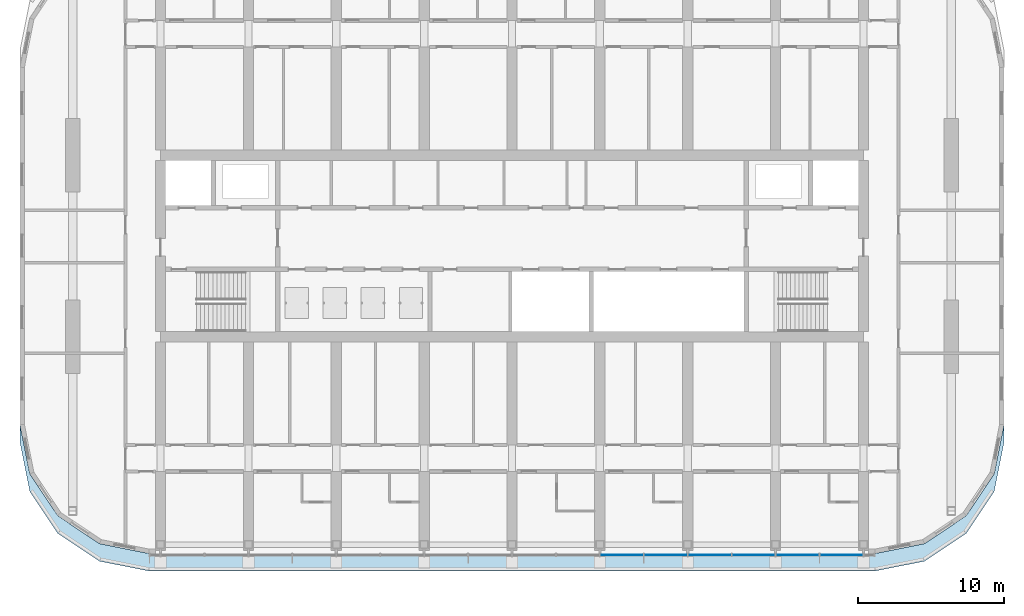
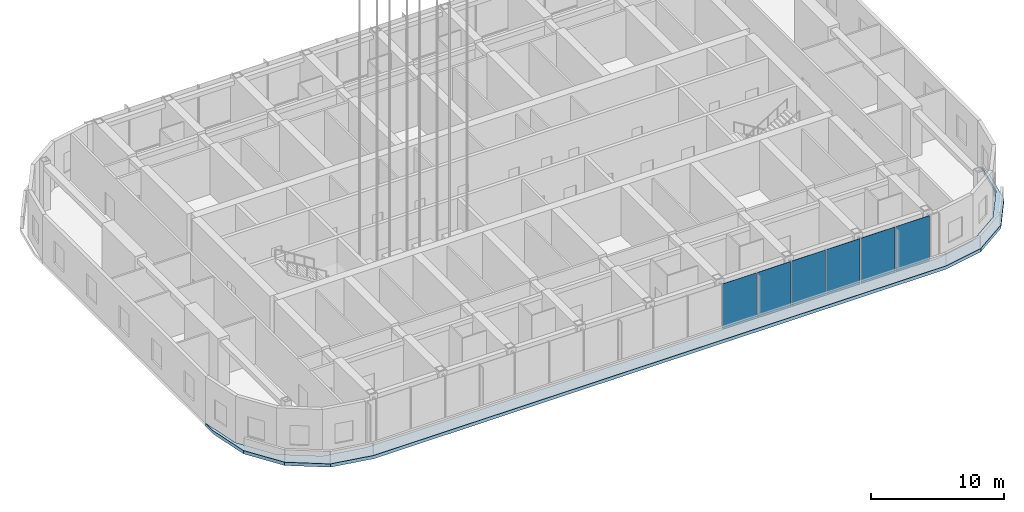
# One storey, part 8 of 35: 6 plates, 1 slab, 1 element without a shape of its own.
"""IFC4 building model written with IfcOpenShell, lengths in metres."""

from ifc_helpers import new_model, si_unit, direction, frame, origin, origin_2d, place, context, subcontext, project, spatial, polyline, rectangle, outline, extrude, material, layer, layer_set, type_object, element, aggregate, save


model = new_model("IFC4")

# Units and contexts
model_context = context("Model", 3, precision=1e-05, world=origin(), true_north=direction((0.0, 1.0)))
body_context = subcontext(model_context, "Body", "Model", "MODEL_VIEW")
ifc_project = project(units=[si_unit("LENGTHUNIT", "METRE"), si_unit("AREAUNIT", "SQUARE_METRE"), si_unit("VOLUMEUNIT", "CUBIC_METRE"), si_unit("PLANEANGLEUNIT", "RADIAN"), si_unit("MASSUNIT", "GRAM", prefix="KILO")], contexts=[model_context])

# Site, building, storey
site_placement = place(None, origin())
site = spatial("IfcSite", under=ifc_project, at=site_placement, CompositionType="ELEMENT")
building_placement = place(site_placement, origin())
building = spatial("IfcBuilding", under=site, at=building_placement, Name="Orbita Commons", CompositionType="ELEMENT")
storey_placement = place(building_placement, frame((0.0, 0.0, 208.300048828125)))
storey = spatial("IfcBuildingStorey", under=building, at=storey_placement, Name="L51", CompositionType="ELEMENT", Elevation=208.300048828125)

# Slab
ifc_material_1 = material(Name="Concrete C40/50", Category="concrete")
ifc_layer_1 = layer(ifc_material_1, 0.300048828125)
ifc_layer_set_1 = layer_set([ifc_layer_1], Name="Concrete C40/50")
slab_type = type_object("IfcSlabType", Name="Roof ledge slab 300", PredefinedType="ROOF", material=ifc_layer_set_1)
slab_placement = place(storey_placement, frame((0.0, 0.0, -0.300048828125)))
element("IfcSlab", 1, at=slab_placement, inside=storey, type_object=slab_type, Name="Roof ledge L51", PredefinedType="ROOF", context=body_context, shape_type="SweptSolid", body=[
    extrude(outline(polyline([(75.60009765625, 18.60009765625), (74.93017578125, 15.232421875), (73.0224609375, 12.37744140625), (70.16748046875, 10.469970703125), (66.800048828125, 9.800048828125), (17.199951171875, 9.800048828125), (13.83251953125, 10.469970703125), (10.9775390625, 12.37744140625), (9.06982421875, 15.232421875), (8.39990234375, 18.60009765625), (8.39990234375, 19.800048828125), (9.06982421875, 16.432373046875), (10.9775390625, 13.577392578125), (13.83251953125, 11.669921875), (17.199951171875, 11.0), (66.800048828125, 11.0), (70.16748046875, 11.669921875), (73.0224609375, 13.577392578125), (74.93017578125, 16.432373046875), (75.60009765625, 19.800048828125), (75.60009765625, 18.60009765625)])), origin(), (0.0, 0.0, 1.0), 0.300048828125),
])

# Curtain wall, plates
ifc_material_2 = material(Name="Anodised aluminium frame, pale silver", Category="aluminium")
curtain_wall_type = type_object("IfcCurtainWallType", Name="Unitised curtain wall CW-S, full-height", PredefinedType="NOTDEFINED", material=ifc_material_2)
curtain_wall_placement = place(storey_placement, origin())
curtain_wall = element("IfcCurtainWall", 2, at=curtain_wall_placement, inside=storey, type_object=curtain_wall_type, Name="Curtain wall south L51", PredefinedType="NOTDEFINED")
ifc_material_3 = material(Name="Low-iron glass", Category="glass")
ifc_layer_2 = layer(ifc_material_3, 0.031982421875)
ifc_layer_set_2 = layer_set([ifc_layer_2], Name="Low-iron glass")
plate_type = type_object("IfcPlateType", Name="Vision panel, clear low-iron glazing 32", PredefinedType="CURTAIN_PANEL", material=ifc_layer_set_2)
plate_1_placement = place(storey_placement, frame((49.5, 10.889892578125, 0.10009765625), z_axis=(0.0, 0.0, 1.0), x_axis=(1.0, 0.0, 0.0)))
plate_1 = element("IfcPlate", 3, at=plate_1_placement, type_object=plate_type, Name="Panel 12.1 CW-L51-S", PredefinedType="CURTAIN_PANEL", context=body_context, shape_type="SweptSolid", body=[
    extrude(rectangle(XDim=2.919921875, YDim=0.031982421875, at=origin_2d()), origin(), (0.0, 0.0, 1.0), 4.14990234375),
])
plate_2_placement = place(storey_placement, frame((52.5, 10.889892578125, 0.10009765625), z_axis=(0.0, 0.0, 1.0), x_axis=(1.0, 0.0, 0.0)))
plate_2 = element("IfcPlate", 4, at=plate_2_placement, type_object=plate_type, Name="Panel 13.1 CW-L51-S", PredefinedType="CURTAIN_PANEL", context=body_context, shape_type="SweptSolid", body=[
    extrude(rectangle(XDim=2.919921875, YDim=0.031982421875, at=origin_2d()), origin(), (0.0, 0.0, 1.0), 4.14990234375),
])
plate_3_placement = place(storey_placement, frame((55.5, 10.889892578125, 0.10009765625), z_axis=(0.0, 0.0, 1.0), x_axis=(1.0, 0.0, 0.0)))
plate_3 = element("IfcPlate", 5, at=plate_3_placement, type_object=plate_type, Name="Panel 14.1 CW-L51-S", PredefinedType="CURTAIN_PANEL", context=body_context, shape_type="SweptSolid", body=[
    extrude(rectangle(XDim=2.919921875, YDim=0.031982421875, at=origin_2d()), origin(), (0.0, 0.0, 1.0), 4.14990234375),
])
plate_4_placement = place(storey_placement, frame((58.5, 10.889892578125, 0.10009765625), z_axis=(0.0, 0.0, 1.0), x_axis=(1.0, 0.0, 0.0)))
plate_4 = element("IfcPlate", 6, at=plate_4_placement, type_object=plate_type, Name="Panel 15.1 CW-L51-S", PredefinedType="CURTAIN_PANEL", context=body_context, shape_type="SweptSolid", body=[
    extrude(rectangle(XDim=2.919921875, YDim=0.031982421875, at=origin_2d()), origin(), (0.0, 0.0, 1.0), 4.14990234375),
])
plate_5_placement = place(storey_placement, frame((61.5, 10.889892578125, 0.10009765625), z_axis=(0.0, 0.0, 1.0), x_axis=(1.0, 0.0, 0.0)))
plate_5 = element("IfcPlate", 7, at=plate_5_placement, type_object=plate_type, Name="Panel 16.1 CW-L51-S", PredefinedType="CURTAIN_PANEL", context=body_context, shape_type="SweptSolid", body=[
    extrude(rectangle(XDim=2.919921875, YDim=0.031982421875, at=origin_2d()), origin(), (0.0, 0.0, 1.0), 4.14990234375),
])
plate_6_placement = place(storey_placement, frame((64.5, 10.889892578125, 0.10009765625), z_axis=(0.0, 0.0, 1.0), x_axis=(1.0, 0.0, 0.0)))
plate_6 = element("IfcPlate", 8, at=plate_6_placement, type_object=plate_type, Name="Panel 17.1 CW-L51-S", PredefinedType="CURTAIN_PANEL", context=body_context, shape_type="SweptSolid", body=[
    extrude(rectangle(XDim=2.919921875, YDim=0.031982421875, at=origin_2d()), origin(), (0.0, 0.0, 1.0), 4.14990234375),
])
aggregate(curtain_wall, [plate_1, plate_2, plate_3, plate_4, plate_5, plate_6])

save(model, "model.ifc")
